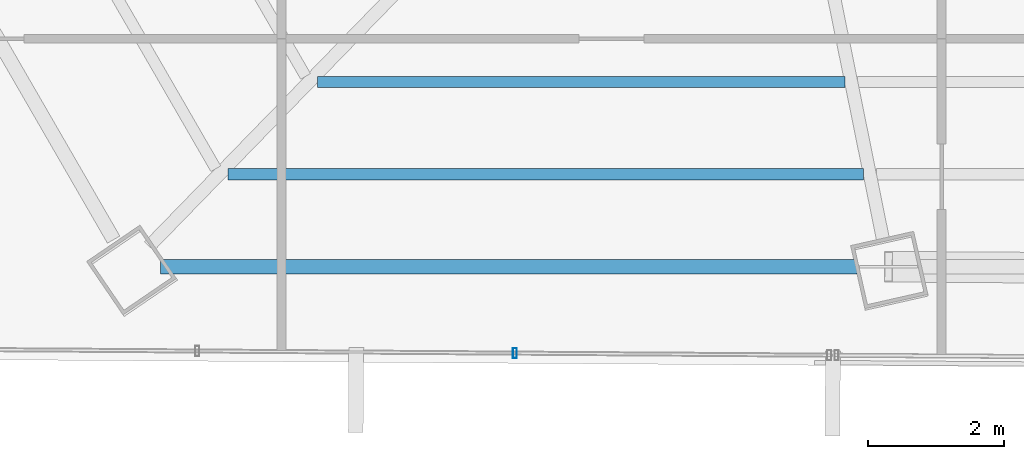
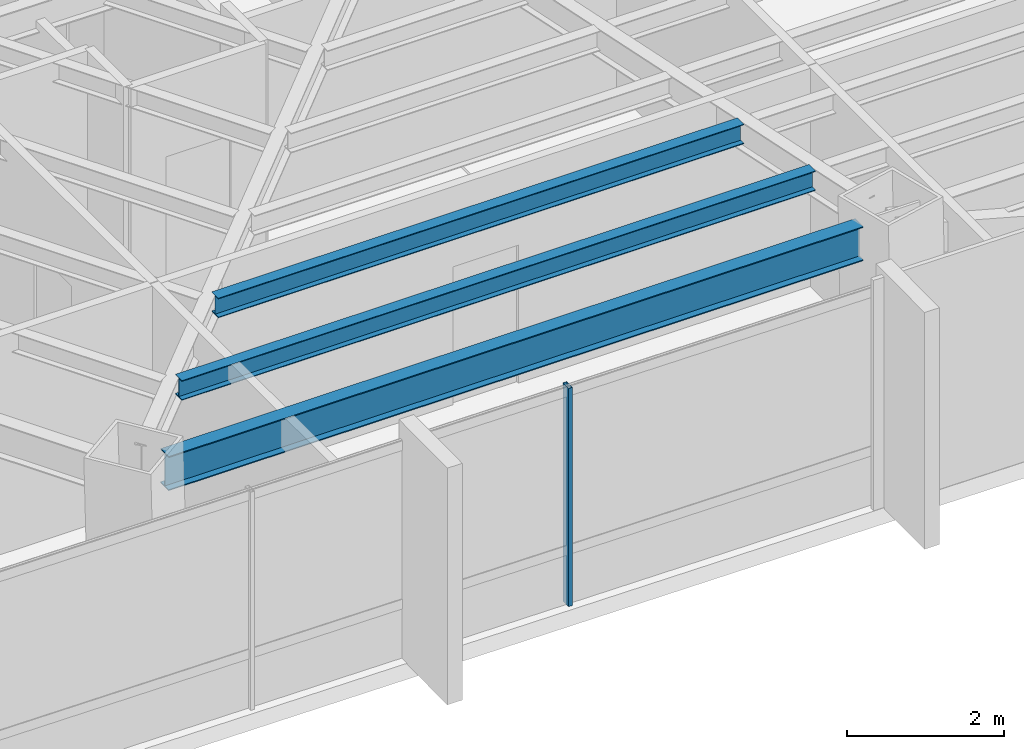
# One storey, part 4 of 41: 3 beams, 1 member, 1 element without a shape of its own.
"""IFC4 building model written with IfcOpenShell, lengths in metres."""

from ifc_helpers import new_model, si_unit, direction, frame, origin, origin_2d, place, context, subcontext, project, spatial, hollow_rectangle, i_section, extrude, source, transform, mapped, material, material_profile, profile_set, type_object, type_shapes, element, aggregate, save


model = new_model("IFC4")

# Units and contexts
model_context = context("Model", 3, precision=1e-05, world=origin(), true_north=direction((0.0, 1.0)))
body_context = subcontext(model_context, "Body", "Model", "MODEL_VIEW")
ifc_project = project(units=[si_unit("LENGTHUNIT", "METRE"), si_unit("AREAUNIT", "SQUARE_METRE"), si_unit("VOLUMEUNIT", "CUBIC_METRE"), si_unit("PLANEANGLEUNIT", "RADIAN"), si_unit("MASSUNIT", "GRAM", prefix="KILO")], contexts=[model_context])

# Site, building, storey
site_placement = place(None, origin())
site = spatial("IfcSite", under=ifc_project, at=site_placement, CompositionType="ELEMENT")
building_placement = place(site_placement, origin())
building = spatial("IfcBuilding", under=site, at=building_placement, Name="Caelisora Broadcast Tower", CompositionType="ELEMENT")
storey_placement = place(building_placement, frame((0.0, 0.0, 180.39990234375)))
storey = spatial("IfcBuildingStorey", under=building, at=storey_placement, Name="L47", CompositionType="ELEMENT", Elevation=180.39990234375)

# Beams
ifc_material_1 = material(Name="Steel Grade 350 (AS/NZS 3679.1)", Category="steel")
ifc_material_profile_1 = material_profile(ifc_material_1, i_section(OverallWidth=0.208984375, OverallDepth=0.532958984375, WebThickness=0.01025390625, FlangeThickness=0.015625, at=origin_2d()), Name="Steel Grade 350 (AS/NZS 3679.1)")
ifc_profile_set_1 = profile_set([ifc_material_profile_1], Name="Steel Grade 350 (AS/NZS 3679.1)")
beam_type_1 = type_object("IfcBeamType", Name="PG05", PredefinedType="BEAM", material=ifc_profile_set_1)
shared_shape_1 = source(origin(), body_context, "Body", "SweptSolid", [
    extrude(i_section(OverallWidth=0.208984375, OverallDepth=0.532958984375, WebThickness=0.01025390625, FlangeThickness=0.015625, at=origin_2d()), origin(), (0.0, 0.0, 1.0), 10.239501953125),
])
type_shapes(beam_type_1, [shared_shape_1])
beam_1_placement = place(storey_placement, frame((21.720703125, 7.89892578125, 3.133544921875), z_axis=(1.0, 0.0, 0.0), x_axis=(0.0, 1.0, 0.0)))
element("IfcBeam", 1, at=beam_1_placement, inside=storey, type_object=beam_type_1, Name="L47 beam PG05", PredefinedType="BEAM", context=body_context, shape_type="MappedRepresentation", body=[
    mapped(shared_shape_1, transform((0.0, 0.0, 0.0), scale=1.0)),
])
ifc_material_profile_2 = material_profile(ifc_material_1, i_section(OverallWidth=0.166015625, OverallDepth=0.30712890625, WebThickness=0.006591796875, FlangeThickness=0.01171875, at=origin_2d()), Name="Steel Grade 350 (AS/NZS 3679.1)")
ifc_profile_set_2 = profile_set([ifc_material_profile_2], Name="Steel Grade 350 (AS/NZS 3679.1)")
beam_type_2 = type_object("IfcBeamType", Name="SB03", PredefinedType="JOIST", material=ifc_profile_set_2)
shared_shape_2 = source(origin(), body_context, "Body", "SweptSolid", [
    extrude(i_section(OverallWidth=0.166015625, OverallDepth=0.30712890625, WebThickness=0.006591796875, FlangeThickness=0.01171875, at=origin_2d()), origin(), (0.0, 0.0, 1.0), 7.74658203125),
])
beam_2_placement = place(storey_placement, frame((24.030517578125, 10.613525390625, 3.24658203125), z_axis=(1.0, 0.0, 0.0), x_axis=(0.0, 1.0, 0.0)))
element("IfcBeam", 2, at=beam_2_placement, inside=storey, type_object=beam_type_2, Name="L47 beam SB03", PredefinedType="JOIST", context=body_context, shape_type="MappedRepresentation", body=[
    mapped(shared_shape_2, transform((0.0, 0.0, 0.0), scale=1.0)),
])
shared_shape_3 = source(origin(), body_context, "Body", "SweptSolid", [
    extrude(i_section(OverallWidth=0.166015625, OverallDepth=0.30712890625, WebThickness=0.006591796875, FlangeThickness=0.01171875, at=origin_2d()), origin(), (0.0, 0.0, 1.0), 9.3408203125),
])
type_shapes(beam_type_2, [shared_shape_2, shared_shape_3])
beam_3_placement = place(storey_placement, frame((22.710693359375, 9.256103515625, 3.24658203125), z_axis=(1.0, 0.0, 0.0), x_axis=(0.0, 1.0, 0.0)))
element("IfcBeam", 3, at=beam_3_placement, inside=storey, type_object=beam_type_2, Name="L47 beam SB03", PredefinedType="JOIST", context=body_context, shape_type="MappedRepresentation", body=[
    mapped(shared_shape_3, transform((0.0, 0.0, 0.0), scale=1.0)),
])

# Curtain wall, member
ifc_material_2 = material(Name="Unitised Aluminium and Low-E Glass Curtain Wall", Category="glass")
curtain_wall_type = type_object("IfcCurtainWallType", Name="CW-Z3", PredefinedType="NOTDEFINED", material=ifc_material_2)
curtain_wall_placement = place(storey_placement, origin())
curtain_wall = element("IfcCurtainWall", 4, at=curtain_wall_placement, inside=storey, type_object=curtain_wall_type, Name="L47 curtain wall CW-Z3", PredefinedType="NOTDEFINED")
ifc_material_3 = material(Name="Aluminium 6063-T6 Anodised Terracotta Bronze", Category="aluminium")
ifc_material_profile_3 = material_profile(ifc_material_3, hollow_rectangle(XDim=0.06005859375, YDim=0.14990234375, WallThickness=0.00341796875, at=origin_2d()), Name="Aluminium 6063-T6 Anodised Terracotta Bronze")
ifc_profile_set_3 = profile_set([ifc_material_profile_3], Name="Aluminium 6063-T6 Anodised Terracotta Bronze")
member_type = type_object("IfcMemberType", Name="CWM-03", PredefinedType="MULLION", material=ifc_profile_set_3)
shared_shape_4 = source(origin(), body_context, "Body", "SweptSolid", [
    extrude(hollow_rectangle(XDim=0.06005859375, YDim=0.14990234375, WallThickness=0.00341796875, at=origin_2d()), origin(), (0.0, 0.0, 1.0), 3.400146484375),
])
type_shapes(member_type, [shared_shape_4])
member_placement = place(storey_placement, frame((26.928955078125, 6.62890625, 0.0), z_axis=(0.0, 0.0, 1.0), x_axis=(1.0, 0.0, 0.0)))
member = element("IfcMember", 5, at=member_placement, type_object=member_type, Name="L47-CW-B07 mullion #1", PredefinedType="MULLION", context=body_context, shape_type="MappedRepresentation", body=[
    mapped(shared_shape_4, transform((0.0, 0.0, 0.0), scale=1.0)),
])
aggregate(curtain_wall, [member])

save(model, "model.ifc")
